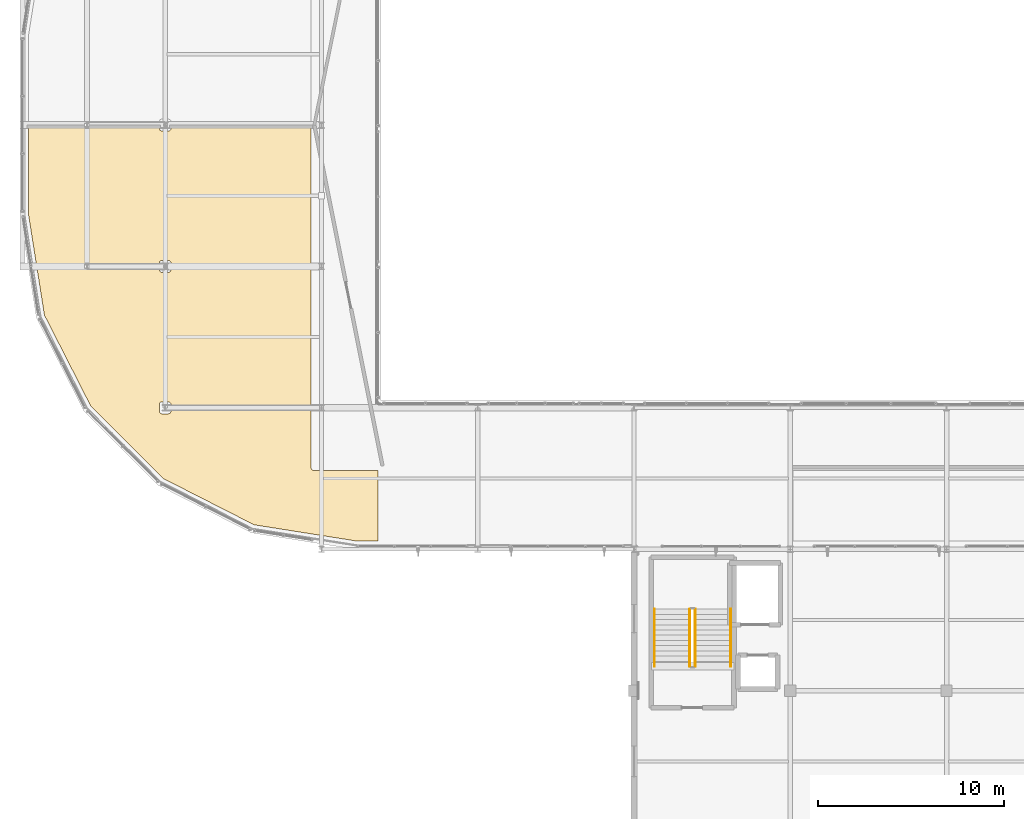
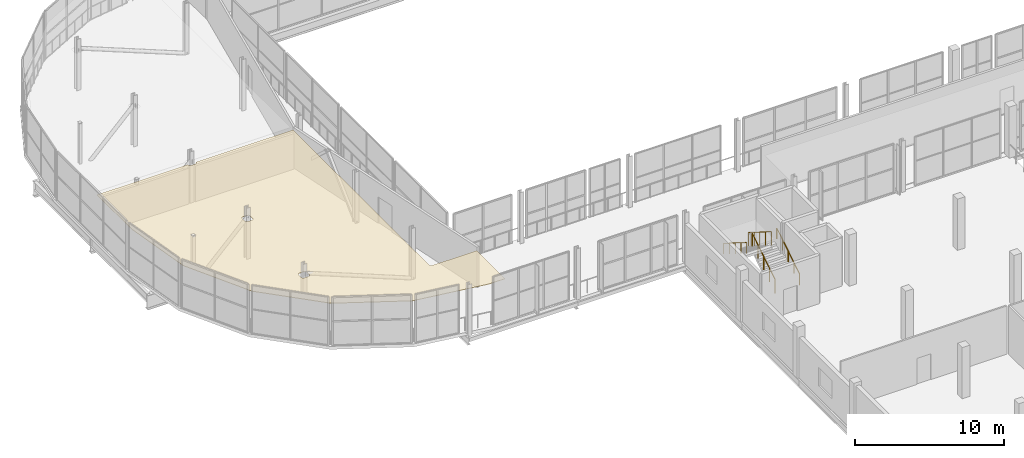
# One storey, part 138 of 151: 4 railings, 1 covering.
"""IFC4 building model written with IfcOpenShell, lengths in metres."""

from ifc_helpers import new_model, si_unit, direction, frame, origin, origin_2d, place, context, subcontext, project, spatial, polyline, circle, outline, extrude, material, layer, layer_set, type_object, element, save


model = new_model("IFC4")

# Units and contexts
model_context = context("Model", 3, precision=1e-05, world=origin(), true_north=direction((0.0, 1.0)))
body_context = subcontext(model_context, "Body", "Model", "MODEL_VIEW")
ifc_project = project(units=[si_unit("LENGTHUNIT", "METRE"), si_unit("AREAUNIT", "SQUARE_METRE"), si_unit("VOLUMEUNIT", "CUBIC_METRE"), si_unit("PLANEANGLEUNIT", "RADIAN"), si_unit("MASSUNIT", "GRAM", prefix="KILO")], contexts=[model_context])

# Site, building, storey
site_placement = place(None, origin())
site = spatial("IfcSite", under=ifc_project, at=site_placement, CompositionType="ELEMENT")
building_placement = place(site_placement, origin())
building = spatial("IfcBuilding", under=site, at=building_placement, Name="Zuvorla Pavilion Media Centre", CompositionType="ELEMENT")
storey_placement = place(building_placement, frame((0.0, 0.0, 13.800048828125)))
storey = spatial("IfcBuildingStorey", under=building, at=storey_placement, Name="L03", CompositionType="ELEMENT", Elevation=13.800048828125)

# Covering
ifc_material_1 = material(Name="Perforated gypsum acoustic studio ceiling")
ifc_layer = layer(ifc_material_1, 0.0400390625)
ifc_layer_set = layer_set([ifc_layer], Name="Perforated gypsum acoustic studio ceiling")
covering_type = type_object("IfcCoveringType", Name="COV-CLG-ACOUST", PredefinedType="CEILING", material=ifc_layer_set)
covering_placement = place(storey_placement, frame((0.0, 0.0, 3.179931640625)))
element("IfcCovering", 1, at=covering_placement, inside=storey, type_object=covering_type, Name="L03 acoustic ceiling 9", PredefinedType="CEILING", context=body_context, shape_type="SweptSolid", body=[
    extrude(outline(polyline([(9.050048828125, 62.035400390625), (9.050048828125, 66.64990234375), (16.08544921875, 66.64990234375), (16.08544921875, 66.629638671875), (16.086181640625, 66.614990234375), (16.08837890625, 66.600341796875), (16.091796875, 66.586181640625), (16.0966796875, 66.572265625), (16.10302734375, 66.55908203125), (16.110595703125, 66.54638671875), (16.119384765625, 66.534423828125), (16.12939453125, 66.523681640625), (16.14013671875, 66.513671875), (16.152099609375, 66.5048828125), (16.164794921875, 66.497314453125), (16.177978515625, 66.4912109375), (16.19189453125, 66.486083984375), (16.2060546875, 66.482666015625), (16.220703125, 66.48046875), (16.2353515625, 66.479736328125), (16.564697265625, 66.479736328125), (16.579345703125, 66.48046875), (16.593994140625, 66.482666015625), (16.608154296875, 66.486083984375), (16.6220703125, 66.4912109375), (16.63525390625, 66.497314453125), (16.64794921875, 66.5048828125), (16.659912109375, 66.513671875), (16.670654296875, 66.523681640625), (16.6806640625, 66.534423828125), (16.689208984375, 66.54638671875), (16.697021484375, 66.55908203125), (16.703125, 66.572265625), (16.7080078125, 66.586181640625), (16.711669921875, 66.600341796875), (16.7138671875, 66.614990234375), (16.714599609375, 66.629638671875), (16.714599609375, 66.64990234375), (24.239990234375, 66.64990234375), (24.239990234375, 48.39892578125), (24.24072265625, 48.38427734375), (24.242919921875, 48.36962890625), (24.2431640625, 48.36865234375), (24.243896484375, 48.365478515625), (24.243896484375, 48.364501953125), (24.247802734375, 48.35009765625), (24.25341796875, 48.336181640625), (24.253662109375, 48.335205078125), (24.254150390625, 48.33447265625), (24.260009765625, 48.322509765625), (24.260498046875, 48.321533203125), (24.26708984375, 48.310791015625), (24.274658203125, 48.30078125), (24.27587890625, 48.29931640625), (24.286865234375, 48.286865234375), (24.29931640625, 48.27587890625), (24.30078125, 48.274658203125), (24.310791015625, 48.26708984375), (24.321533203125, 48.260498046875), (24.322509765625, 48.260009765625), (24.33447265625, 48.254150390625), (24.336181640625, 48.25341796875), (24.35009765625, 48.247802734375), (24.364501953125, 48.243896484375), (24.365478515625, 48.243896484375), (24.36865234375, 48.2431640625), (24.36962890625, 48.242919921875), (24.38427734375, 48.24072265625), (24.39892578125, 48.239990234375), (27.85009765625, 48.239990234375), (27.85009765625, 44.449951171875), (26.635498046875, 44.449951171875), (21.178466796875, 45.314208984375), (16.28759765625, 47.806396484375), (12.40625, 51.687744140625), (9.914306640625, 56.57861328125), (9.050048828125, 62.035400390625)]), holes=[polyline([(16.08544921875, 51.4296875), (16.086181640625, 51.4150390625), (16.08837890625, 51.400390625), (16.091796875, 51.38623046875), (16.0966796875, 51.372314453125), (16.10302734375, 51.359130859375), (16.110595703125, 51.346435546875), (16.119384765625, 51.334716796875), (16.12939453125, 51.32373046875), (16.14013671875, 51.313720703125), (16.152099609375, 51.30517578125), (16.164794921875, 51.297607421875), (16.177978515625, 51.291259765625), (16.19189453125, 51.286376953125), (16.2060546875, 51.28271484375), (16.220703125, 51.280517578125), (16.2353515625, 51.27978515625), (16.564697265625, 51.27978515625), (16.579345703125, 51.280517578125), (16.593994140625, 51.28271484375), (16.608154296875, 51.286376953125), (16.6220703125, 51.291259765625), (16.63525390625, 51.297607421875), (16.64794921875, 51.30517578125), (16.659912109375, 51.313720703125), (16.670654296875, 51.32373046875), (16.6806640625, 51.334716796875), (16.689208984375, 51.346435546875), (16.697021484375, 51.359130859375), (16.703125, 51.372314453125), (16.7080078125, 51.38623046875), (16.711669921875, 51.400390625), (16.7138671875, 51.4150390625), (16.714599609375, 51.4296875), (16.714599609375, 51.770263671875), (16.7138671875, 51.784912109375), (16.711669921875, 51.799560546875), (16.7080078125, 51.813720703125), (16.703125, 51.82763671875), (16.697021484375, 51.8408203125), (16.689208984375, 51.853515625), (16.6806640625, 51.865478515625), (16.670654296875, 51.876220703125), (16.659912109375, 51.88623046875), (16.64794921875, 51.89501953125), (16.63525390625, 51.902587890625), (16.6220703125, 51.90869140625), (16.608154296875, 51.913818359375), (16.593994140625, 51.917236328125), (16.579345703125, 51.91943359375), (16.564697265625, 51.920166015625), (16.2353515625, 51.920166015625), (16.220703125, 51.91943359375), (16.2060546875, 51.917236328125), (16.19189453125, 51.913818359375), (16.177978515625, 51.90869140625), (16.164794921875, 51.902587890625), (16.152099609375, 51.89501953125), (16.14013671875, 51.88623046875), (16.12939453125, 51.876220703125), (16.119384765625, 51.865478515625), (16.110595703125, 51.853515625), (16.10302734375, 51.8408203125), (16.0966796875, 51.82763671875), (16.091796875, 51.813720703125), (16.08837890625, 51.799560546875), (16.086181640625, 51.784912109375), (16.08544921875, 51.770263671875), (16.08544921875, 51.4296875)]), polyline([(16.08544921875, 59.02978515625), (16.086181640625, 59.01513671875), (16.08837890625, 59.00048828125), (16.091796875, 58.986328125), (16.0966796875, 58.972412109375), (16.10302734375, 58.958984375), (16.110595703125, 58.946533203125), (16.119384765625, 58.9345703125), (16.12939453125, 58.923583984375), (16.14013671875, 58.913818359375), (16.152099609375, 58.905029296875), (16.164794921875, 58.8974609375), (16.177978515625, 58.89111328125), (16.19189453125, 58.88623046875), (16.2060546875, 58.8828125), (16.220703125, 58.880615234375), (16.2353515625, 58.8798828125), (16.564697265625, 58.8798828125), (16.579345703125, 58.880615234375), (16.593994140625, 58.8828125), (16.608154296875, 58.88623046875), (16.6220703125, 58.89111328125), (16.63525390625, 58.8974609375), (16.64794921875, 58.905029296875), (16.659912109375, 58.913818359375), (16.670654296875, 58.923583984375), (16.6806640625, 58.9345703125), (16.689208984375, 58.946533203125), (16.697021484375, 58.958984375), (16.703125, 58.972412109375), (16.7080078125, 58.986328125), (16.711669921875, 59.00048828125), (16.7138671875, 59.01513671875), (16.714599609375, 59.02978515625), (16.714599609375, 59.3701171875), (16.7138671875, 59.385009765625), (16.711669921875, 59.3994140625), (16.7080078125, 59.413818359375), (16.703125, 59.427490234375), (16.697021484375, 59.44091796875), (16.689208984375, 59.45361328125), (16.6806640625, 59.46533203125), (16.670654296875, 59.476318359375), (16.659912109375, 59.486083984375), (16.64794921875, 59.494873046875), (16.63525390625, 59.50244140625), (16.6220703125, 59.5087890625), (16.608154296875, 59.513671875), (16.593994140625, 59.517333984375), (16.579345703125, 59.51953125), (16.564697265625, 59.520263671875), (16.2353515625, 59.520263671875), (16.220703125, 59.51953125), (16.2060546875, 59.517333984375), (16.19189453125, 59.513671875), (16.177978515625, 59.5087890625), (16.164794921875, 59.50244140625), (16.152099609375, 59.494873046875), (16.14013671875, 59.486083984375), (16.12939453125, 59.476318359375), (16.119384765625, 59.46533203125), (16.110595703125, 59.45361328125), (16.10302734375, 59.44091796875), (16.0966796875, 59.427490234375), (16.091796875, 59.413818359375), (16.08837890625, 59.3994140625), (16.086181640625, 59.385009765625), (16.08544921875, 59.3701171875), (16.08544921875, 59.02978515625)])]), origin(), (0.0, 0.0, 1.0), 0.0400390625),
])

# Railings
ifc_material_2 = material(Name="Powder-coated steel balustrade guard", Category="steel")
railing_type_1 = type_object("IfcRailingType", Name="RL-INT-GRD", PredefinedType="BALUSTRADE", material=ifc_material_2)
railing_1_placement = place(storey_placement, frame((44.89990234375, 37.699951171875, 0.175048828125)))
element("IfcRailing", 2, at=railing_1_placement, inside=storey, type_object=railing_type_1, Name="L03 ST-03 stair guard 1", PredefinedType="BALUSTRADE", context=body_context, shape_type="SweptSolid", body=[
    extrude(circle(Radius=0.02392578125, at=origin_2d()), frame((0.0, 0.0244140625, 1.111328125), z_axis=(0.0, 0.848028513186, 0.529950602248), x_axis=(-1.0, 0.0, 0.0)), (0.0, 0.0, 1.0), 3.57421875),
    extrude(circle(Radius=0.02099609375, at=origin_2d()), origin(), (0.0, 0.0, 1.0), 1.070068359375),
    extrude(circle(Radius=0.02099609375, at=origin_2d()), frame((0.0, 0.77001953125, 0.481201171875)), (0.0, 0.0, 1.0), 1.070068359375),
    extrude(circle(Radius=0.02099609375, at=origin_2d()), frame((0.0, 1.5400390625, 0.96240234375)), (0.0, 0.0, 1.0), 1.070068359375),
    extrude(circle(Radius=0.02099609375, at=origin_2d()), frame((0.0, 2.31005859375, 1.443603515625)), (0.0, 0.0, 1.0), 1.070068359375),
    extrude(circle(Radius=0.02099609375, at=origin_2d()), frame((0.0, 3.080078125, 1.9248046875)), (0.0, 0.0, 1.0), 1.070068359375),
])
railing_2_placement = place(storey_placement, frame((44.60009765625, 40.780029296875, 2.27490234375)))
element("IfcRailing", 3, at=railing_2_placement, inside=storey, type_object=railing_type_1, Name="L03 ST-03 stair guard 3", PredefinedType="BALUSTRADE", context=body_context, shape_type="SweptSolid", body=[
    extrude(circle(Radius=0.02392578125, at=origin_2d()), frame((0.0, -0.0244140625, 1.111328125), z_axis=(0.0, -0.847998304005, 0.529998940003), x_axis=(1.0, 0.0, 0.0)), (0.0, 0.0, 1.0), 3.574462890625),
    extrude(circle(Radius=0.02099609375, at=origin_2d()), origin(), (0.0, 0.0, 1.0), 1.070068359375),
    extrude(circle(Radius=0.02099609375, at=origin_2d()), frame((0.0, -0.77001953125, 0.481201171875)), (0.0, 0.0, 1.0), 1.070068359375),
    extrude(circle(Radius=0.02099609375, at=origin_2d()), frame((0.0, -1.5400390625, 0.96240234375)), (0.0, 0.0, 1.0), 1.070068359375),
    extrude(circle(Radius=0.02099609375, at=origin_2d()), frame((0.0, -2.31005859375, 1.44384765625)), (0.0, 0.0, 1.0), 1.070068359375),
    extrude(circle(Radius=0.02099609375, at=origin_2d()), frame((0.0, -3.080078125, 1.925048828125)), (0.0, 0.0, 1.0), 1.070068359375),
])
ifc_material_3 = material(Name="Brushed stainless steel tubular handrail", Category="steel")
railing_type_2 = type_object("IfcRailingType", Name="RL-INT-HND", PredefinedType="HANDRAIL", material=ifc_material_3)
railing_3_placement = place(storey_placement, frame((46.800048828125, 37.699951171875, 0.175048828125)))
element("IfcRailing", 4, at=railing_3_placement, inside=storey, type_object=railing_type_2, Name="L03 ST-03 handrail 1", PredefinedType="HANDRAIL", context=body_context, shape_type="SweptSolid", body=[
    extrude(circle(Radius=0.02392578125, at=origin_2d()), frame((0.0, 0.0244140625, 0.89111328125), z_axis=(0.0, 0.848028513186, 0.529950602248), x_axis=(-1.0, 0.0, 0.0)), (0.0, 0.0, 1.0), 3.57421875),
    extrude(circle(Radius=0.02099609375, at=origin_2d()), origin(), (0.0, 0.0, 1.0), 0.849853515625),
    extrude(circle(Radius=0.02099609375, at=origin_2d()), frame((0.0, 0.77001953125, 0.481201171875)), (0.0, 0.0, 1.0), 0.849853515625),
    extrude(circle(Radius=0.02099609375, at=origin_2d()), frame((0.0, 1.5400390625, 0.96240234375)), (0.0, 0.0, 1.0), 0.849853515625),
    extrude(circle(Radius=0.02099609375, at=origin_2d()), frame((0.0, 2.31005859375, 1.443603515625)), (0.0, 0.0, 1.0), 0.849853515625),
    extrude(circle(Radius=0.02099609375, at=origin_2d()), frame((0.0, 3.080078125, 1.9248046875)), (0.0, 0.0, 1.0), 0.849853515625),
])
railing_4_placement = place(storey_placement, frame((42.699951171875, 40.780029296875, 2.27490234375)))
element("IfcRailing", 5, at=railing_4_placement, inside=storey, type_object=railing_type_2, Name="L03 ST-03 handrail 2", PredefinedType="HANDRAIL", context=body_context, shape_type="SweptSolid", body=[
    extrude(circle(Radius=0.02392578125, at=origin_2d()), frame((0.0, -0.0244140625, 0.89111328125), z_axis=(0.0, -0.847998304005, 0.529998940003), x_axis=(1.0, 0.0, 0.0)), (0.0, 0.0, 1.0), 3.574462890625),
    extrude(circle(Radius=0.02099609375, at=origin_2d()), origin(), (0.0, 0.0, 1.0), 0.849853515625),
    extrude(circle(Radius=0.02099609375, at=origin_2d()), frame((0.0, -0.77001953125, 0.481201171875)), (0.0, 0.0, 1.0), 0.849853515625),
    extrude(circle(Radius=0.02099609375, at=origin_2d()), frame((0.0, -1.5400390625, 0.96240234375)), (0.0, 0.0, 1.0), 0.849853515625),
    extrude(circle(Radius=0.02099609375, at=origin_2d()), frame((0.0, -2.31005859375, 1.44384765625)), (0.0, 0.0, 1.0), 0.849853515625),
    extrude(circle(Radius=0.02099609375, at=origin_2d()), frame((0.0, -3.080078125, 1.925048828125)), (0.0, 0.0, 1.0), 0.849853515625),
])

save(model, "model.ifc")
